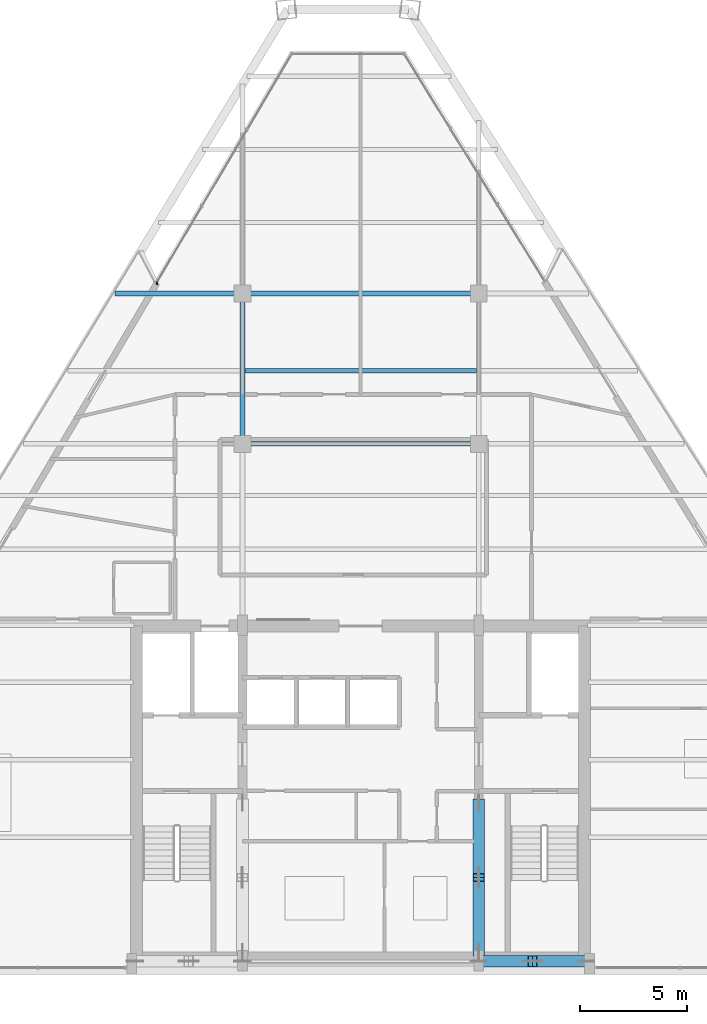
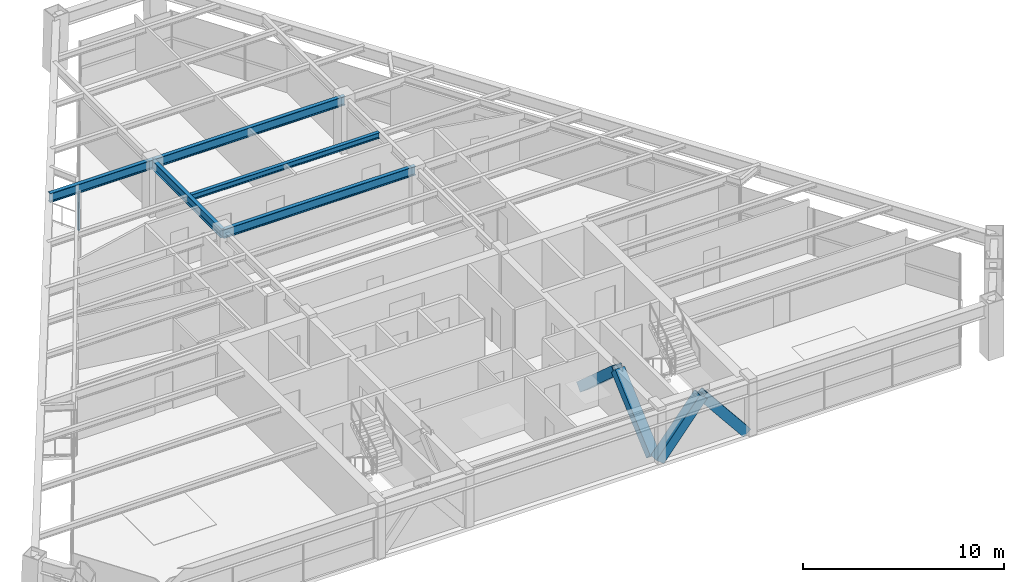
# One storey, part 4 of 13: 5 beams, 5 members, 1 element without a shape of its own.
"""IFC4 building model written with IfcOpenShell, lengths in metres."""

from ifc_helpers import new_model, si_unit, direction, frame, origin, origin_2d, place, context, subcontext, project, spatial, rectangle, hollow_rectangle, i_section, extrude, source, transform, mapped, material, material_profile, profile_set, type_object, type_shapes, element, aggregate, save


model = new_model("IFC4")

# Units and contexts
model_context = context("Model", 3, precision=1e-05, world=origin(), true_north=direction((0.0, 1.0)))
body_context = subcontext(model_context, "Body", "Model", "MODEL_VIEW")
ifc_project = project(units=[si_unit("LENGTHUNIT", "METRE"), si_unit("AREAUNIT", "SQUARE_METRE"), si_unit("VOLUMEUNIT", "CUBIC_METRE"), si_unit("PLANEANGLEUNIT", "RADIAN"), si_unit("MASSUNIT", "GRAM", prefix="KILO")], contexts=[model_context])

# Site, building, storey
site_placement = place(None, origin())
site = spatial("IfcSite", under=ifc_project, at=site_placement, CompositionType="ELEMENT")
building_placement = place(site_placement, origin())
building = spatial("IfcBuilding", under=site, at=building_placement, Name="Varnakhor Terracotta Tower", CompositionType="ELEMENT")
storey_placement = place(building_placement, frame((0.0, 0.0, 237.25)))
storey = spatial("IfcBuildingStorey", under=building, at=storey_placement, Name="L61", CompositionType="ELEMENT", Elevation=237.25)

# Beams
ifc_material_1 = material(Name="Steel S355", Category="steel")
ifc_material_profile_1 = material_profile(ifc_material_1, i_section(OverallWidth=0.214111328125, OverallDepth=0.549072265625, WebThickness=0.014892578125, FlangeThickness=0.02392578125, FilletRadius=0.01806640625, at=origin_2d()), Name="W21X93")
ifc_profile_set_1 = profile_set([ifc_material_profile_1], Name="Steel S355")
beam_type_1 = type_object("IfcBeamType", Name="BM-W21X93", PredefinedType="BEAM", material=ifc_profile_set_1)
shared_shape_1 = source(origin(), body_context, "Body", "SweptSolid", [
    extrude(i_section(OverallWidth=0.214111328125, OverallDepth=0.549072265625, WebThickness=0.014892578125, FlangeThickness=0.02392578125, FilletRadius=0.01806640625, at=origin_2d()), origin(), (0.0, 0.0, 1.0), 7.0),
])
beam_1_placement = place(storey_placement, frame((-5.5, 24.5, 2.965576171875), z_axis=(0.0, 1.0, 0.0), x_axis=(-1.0, 0.0, 0.0)))
element("IfcBeam", 1, at=beam_1_placement, inside=storey, type_object=beam_type_1, Name="L61 Primary Girder NS2-W", PredefinedType="BEAM", context=body_context, shape_type="MappedRepresentation", body=[
    mapped(shared_shape_1, transform((0.0, 0.0, 0.0), scale=1.0)),
])
shared_shape_2 = source(origin(), body_context, "Body", "SweptSolid", [
    extrude(i_section(OverallWidth=0.214111328125, OverallDepth=0.549072265625, WebThickness=0.014892578125, FlangeThickness=0.02392578125, FilletRadius=0.01806640625, at=origin_2d()), origin(), (0.0, 0.0, 1.0), 11.0),
])
for number, where, z_axis, x_axis, name in (
    (2, (-5.5, 24.5, 2.965576171875), (1.0, 0.0, 0.0), (0.0, 1.0, 0.0), "L61 Primary Girder EW2-2"),
    (3, (-5.5, 31.5, 2.965576171875), (1.0, 0.0, 0.0), (0.0, 1.0, 0.0), "L61 Primary Girder EW3-2"),
):
    element("IfcBeam", number, at=place(storey_placement, frame(where, z_axis=z_axis, x_axis=x_axis)), inside=storey, type_object=beam_type_1, Name=name, PredefinedType="BEAM", context=body_context, shape_type="MappedRepresentation", body=[
        mapped(shared_shape_2, transform((0.0, 0.0, 0.0), scale=1.0)),
    ])
ifc_material_profile_2 = material_profile(ifc_material_1, i_section(OverallWidth=0.202880859375, OverallDepth=0.346923828125, WebThickness=0.0078125, FlangeThickness=0.013427734375, FilletRadius=0.01806640625, at=origin_2d()), Name="W14X43")
ifc_profile_set_2 = profile_set([ifc_material_profile_2], Name="Steel S355")
beam_type_2 = type_object("IfcBeamType", Name="JST-W14X43", PredefinedType="JOIST", material=ifc_profile_set_2)
shared_shape_3 = source(origin(), body_context, "Body", "SweptSolid", [
    extrude(i_section(OverallWidth=0.202880859375, OverallDepth=0.346923828125, WebThickness=0.0078125, FlangeThickness=0.013427734375, FilletRadius=0.01806640625, at=origin_2d()), origin(), (0.0, 0.0, 1.0), 10.7939453125),
])
beam_2_placement = place(storey_placement, frame((-5.39697265625, 27.89990234375, 3.06640625), z_axis=(1.0, 0.0, 0.0), x_axis=(0.0, 1.0, 0.0)))
element("IfcBeam", 4, at=beam_2_placement, inside=storey, type_object=beam_type_2, Name="L61 Composite Floor Joist 6-2", PredefinedType="JOIST", context=body_context, shape_type="MappedRepresentation", body=[
    mapped(shared_shape_3, transform((0.0, 0.0, 0.0), scale=1.0)),
])

# Members
ifc_material_profile_3 = material_profile(ifc_material_1, hollow_rectangle(XDim=0.550048828125, YDim=0.550048828125, WallThickness=0.034912109375, at=origin_2d()), Name="HSS550X550X35")
ifc_profile_set_3 = profile_set([ifc_material_profile_3], Name="Steel S355")
member_type_1 = type_object("IfcMemberType", Name="MBR-MEGA-550", PredefinedType="BRACE", material=ifc_profile_set_3)
shared_shape_4 = source(origin(), body_context, "Body", "SweptSolid", [
    extrude(hollow_rectangle(XDim=0.550048828125, YDim=0.550048828125, WallThickness=0.034912109375, at=origin_2d()), origin(), (0.0, 0.0, 1.0), 3.974853515625),
])
for number, where, z_axis, x_axis, name in (
    (5, (5.5, 0.419921875, 0.0), (0.628970263838, 0.0, 0.777429358339), (0.0, 1.0, 0.0), "L61 Core Coupled Brace CSEA"),
    (6, (10.5, 0.419921875, 0.0), (-0.628970263838, 0.0, 0.777429358339), (0.0, -1.0, 0.0), "L61 Core Coupled Brace CSEB"),
):
    element("IfcMember", number, at=place(storey_placement, frame(where, z_axis=z_axis, x_axis=x_axis)), inside=storey, type_object=member_type_1, Name=name, PredefinedType="BRACE", context=body_context, shape_type="MappedRepresentation", body=[
        mapped(shared_shape_4, transform((0.0, 0.0, 0.0), scale=1.0)),
    ])
shared_shape_5 = source(origin(), body_context, "Body", "SweptSolid", [
    extrude(hollow_rectangle(XDim=0.550048828125, YDim=0.550048828125, WallThickness=0.034912109375, at=origin_2d()), origin(), (0.0, 0.0, 1.0), 4.650146484375),
])
for number, where, z_axis, x_axis, name in (
    (7, (5.5, 0.85009765625, 0.0), (0.0, 0.74726736397, 0.664523503532), (-1.0, 0.0, 0.0), "L61 Core Coupled Brace CWEA"),
    (8, (5.5, 7.800048828125, 0.0), (0.0, -0.74729054724, 0.664497432655), (1.0, 0.0, 0.0), "L61 Core Coupled Brace CWEB"),
):
    element("IfcMember", number, at=place(storey_placement, frame(where, z_axis=z_axis, x_axis=x_axis)), inside=storey, type_object=member_type_1, Name=name, PredefinedType="BRACE", context=body_context, shape_type="MappedRepresentation", body=[
        mapped(shared_shape_5, transform((0.0, 0.0, 0.0), scale=1.0)),
    ])

# Beam
shared_shape_6 = source(origin(), body_context, "Body", "SweptSolid", [
    extrude(i_section(OverallWidth=0.214111328125, OverallDepth=0.549072265625, WebThickness=0.014892578125, FlangeThickness=0.02392578125, FilletRadius=0.01806640625, at=origin_2d()), origin(), (0.0, 0.0, 1.0), 5.9248046875),
])
beam_3_placement = place(storey_placement, frame((-11.4248046875, 31.5, 2.965576171875), z_axis=(1.0, 0.0, 0.0), x_axis=(0.0, 1.0, 0.0)))
element("IfcBeam", 9, at=beam_3_placement, inside=storey, type_object=beam_type_1, Name="L61 Primary Girder EW3-1", PredefinedType="BEAM", context=body_context, shape_type="MappedRepresentation", body=[
    mapped(shared_shape_6, transform((0.0, 0.0, 0.0), scale=1.0)),
])

# Curtain wall, member
ifc_material_2 = material(Name="Anodised Aluminium Curtain Wall System", Category="aluminium")
curtain_wall_type = type_object("IfcCurtainWallType", Name="CW-SYS-HOTEL-LOGGIA", PredefinedType="NOTDEFINED", material=ifc_material_2)
curtain_wall_placement = place(storey_placement, origin())
curtain_wall = element("IfcCurtainWall", 10, at=curtain_wall_placement, inside=storey, type_object=curtain_wall_type, Name="L61 W Facet Curtain Wall 2", PredefinedType="NOTDEFINED")
ifc_material_3 = material(Name="Anodised Aluminium 6063-T6", Category="aluminium")
ifc_material_profile_4 = material_profile(ifc_material_3, rectangle(XDim=0.06494140625, YDim=0.159912109375, at=origin_2d()), Name="ALU MULLION 65x160")
ifc_profile_set_4 = profile_set([ifc_material_profile_4], Name="Anodised Aluminium 6063-T6")
member_type_2 = type_object("IfcMemberType", Name="CWM-04", PredefinedType="MULLION", material=ifc_profile_set_4)
shared_shape_7 = source(origin(), body_context, "Body", "SweptSolid", [
    extrude(rectangle(XDim=0.06494140625, YDim=0.159912109375, at=origin_2d()), origin(), (0.0, 0.0, 1.0), 2.820068359375),
])
type_shapes(member_type_2, [shared_shape_7])
member_placement = place(storey_placement, frame((-9.480712890625, 31.976318359375, 0.0), z_axis=(0.0, 0.0, 1.0), x_axis=(1.0, 0.0, 0.0)))
member = element("IfcMember", 11, at=member_placement, type_object=member_type_2, Name="L61 W Loggia Jamb Closure Mullion 2", PredefinedType="MULLION", context=body_context, shape_type="MappedRepresentation", body=[
    mapped(shared_shape_7, transform((0.0, 0.0, 0.0), scale=1.0)),
])
aggregate(curtain_wall, [member])

save(model, "model.ifc")
